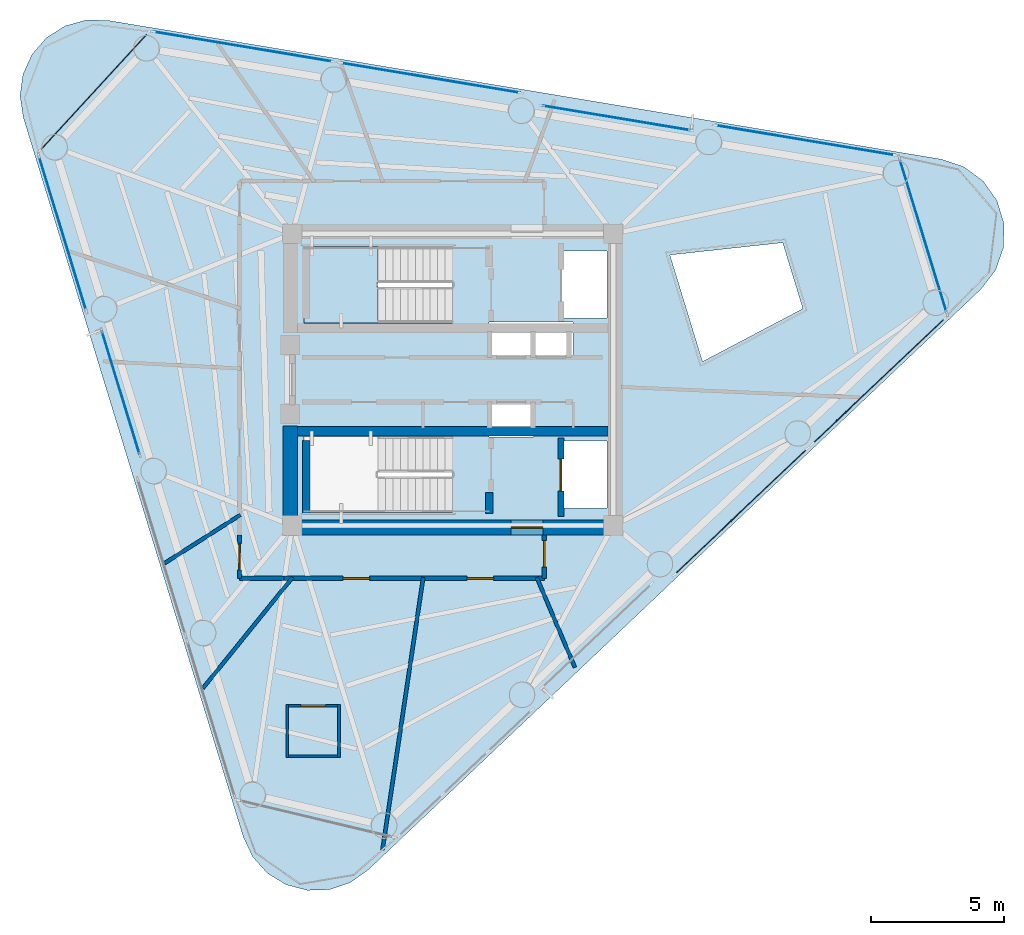
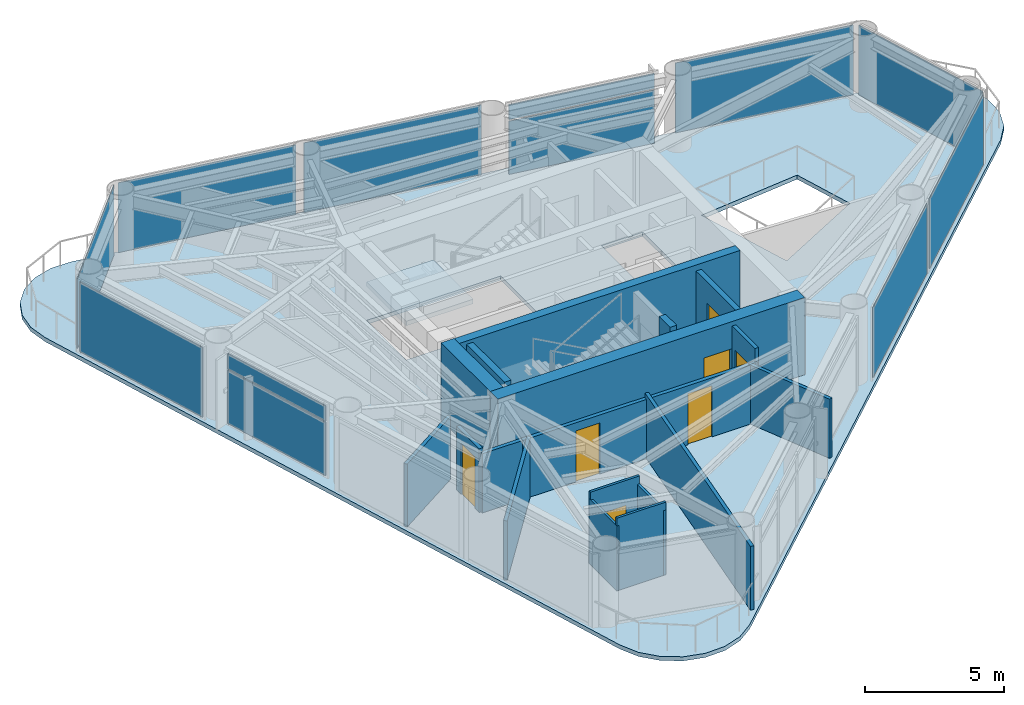
# One storey, part 5 of 9: 18 walls, 12 plates, 7 doors, 2 slabs, 7 openings, 11 elements without a shape of their own.
"""IFC4 building model written with IfcOpenShell, lengths in metres."""

from ifc_helpers import new_model, si_unit, direction, frame, frame_2d, origin, origin_2d, place, context, subcontext, project, spatial, polyline, rectangle, outline, extrude, source, transform, mapped, material, layer, layer_set, type_object, element, fill, aggregate, save


model = new_model("IFC4")

# Units and contexts
model_context = context("Model", 3, precision=1e-05, world=origin(), true_north=direction((0.0, 1.0)))
body_context = subcontext(model_context, "Body", "Model", "MODEL_VIEW")
ifc_project = project(units=[si_unit("LENGTHUNIT", "METRE"), si_unit("AREAUNIT", "SQUARE_METRE"), si_unit("VOLUMEUNIT", "CUBIC_METRE"), si_unit("PLANEANGLEUNIT", "RADIAN"), si_unit("MASSUNIT", "GRAM", prefix="KILO")], contexts=[model_context])

# Site, building, storey
site_placement = place(None, origin())
site = spatial("IfcSite", under=ifc_project, at=site_placement, CompositionType="ELEMENT")
building_placement = place(site_placement, origin())
building = spatial("IfcBuilding", under=site, at=building_placement, Name="Yunling Apex Tower", CompositionType="ELEMENT")
storey_placement = place(building_placement, frame((0.0, 0.0, 232.050048828125)))
storey = spatial("IfcBuildingStorey", under=building, at=storey_placement, Name="L56", CompositionType="ELEMENT", Elevation=232.050048828125)

# Slab
ifc_material_1 = material(Name="Concrete C40", Category="concrete")
ifc_layer_1 = layer(ifc_material_1, 0.155029296875)
ifc_layer_set_1 = layer_set([ifc_layer_1], Name="Concrete C40")
slab_type_1 = type_object("IfcSlabType", Name="SL-FLR-3", PredefinedType="FLOOR", material=ifc_layer_set_1)
slab_1_placement = place(storey_placement, frame((0.0, 0.0, -0.179931640625)))
element("IfcSlab", 1, at=slab_1_placement, inside=storey, type_object=slab_type_1, Name="L56 Composite Tower Floor Slab", PredefinedType="FLOOR", context=body_context, shape_type="SweptSolid", body=[
    extrude(outline(polyline([(-7.894287109375, -17.243408203125), (-7.54052734375, -17.991455078125), (-6.9873046875, -18.60693359375), (-6.281005859375, -19.0380859375), (-5.480712890625, -19.249267578125), (-4.65380859375, -19.22216796875), (-3.868896484375, -18.959716796875), (-3.192138671875, -18.483154296875), (19.91064453125, 3.409912109375), (20.459716796875, 4.126220703125), (20.7578125, 4.977783203125), (20.776123046875, 5.880126953125), (20.51220703125, 6.7431640625), (19.99267578125, 7.48095703125), (19.26904296875, 8.02001953125), (18.41357421875, 8.306884765625), (-12.982177734375, 13.538330078125), (-13.8095703125, 13.5546875), (-14.60693359375, 13.33349609375), (-15.307861328125, 12.8935546875), (-15.853271484375, 12.27099609375), (-16.197509765625, 11.5185546875), (-16.31201171875, 10.698974609375), (-16.187255859375, 9.881103515625), (-7.894287109375, -17.243408203125)]), holes=[polyline([(8.18408203125, 4.697998046875), (12.434326171875, 5.160888671875), (13.194580078125, 2.674560546875), (9.412109375, 0.681640625), (8.18408203125, 4.697998046875)]), polyline([(4.090087890625, -2.320068359375), (5.81005859375, -2.320068359375), (5.81005859375, -4.840087890625), (4.090087890625, -4.840087890625), (4.090087890625, -2.320068359375)]), polyline([(4.090087890625, 4.840087890625), (5.81005859375, 4.840087890625), (5.81005859375, 2.320068359375), (4.090087890625, 2.320068359375), (4.090087890625, 4.840087890625)]), polyline([(1.364990234375, 0.794921875), (1.364990234375, 2.1650390625), (4.534912109375, 2.1650390625), (4.534912109375, 0.794921875), (1.364990234375, 0.794921875)]), polyline([(1.364990234375, -0.794921875), (3.034912109375, -0.794921875), (3.034912109375, -2.1650390625), (1.364990234375, -2.1650390625), (1.364990234375, -0.794921875)]), polyline([(-0.010009765625, -5.010009765625), (-5.60009765625, -5.010009765625), (-5.60009765625, -2.139892578125), (-0.010009765625, -2.139892578125), (-0.010009765625, -5.010009765625)]), polyline([(-0.010009765625, 2.139892578125), (-5.60009765625, 2.139892578125), (-5.60009765625, 5.010009765625), (-0.010009765625, 5.010009765625), (-0.010009765625, 2.139892578125)])]), origin(), (0.0, 0.0, 1.0), 0.179931640625),
])

# Stair, slab
stair_type = type_object("IfcStairType", Name="ST-TWR-3", PredefinedType="HALF_TURN_STAIR", material=ifc_material_1)
stair_placement = place(storey_placement, origin())
stair = element("IfcStair", 2, at=stair_placement, inside=storey, type_object=stair_type, Name="L56 North Core Smokeproof Exit Stair ST-1", PredefinedType="HALF_TURN_STAIR")
ifc_layer_2 = layer(ifc_material_1, 0.195068359375)
ifc_layer_set_2 = layer_set([ifc_layer_2], Name="Concrete C40")
slab_type_2 = type_object("IfcSlabType", Name="SL-LND-1", PredefinedType="LANDING", material=ifc_layer_set_2)
slab_2_placement = place(storey_placement, frame((0.0, 0.0, 1.5048828125)))
slab_2 = element("IfcSlab", 3, at=slab_2_placement, type_object=slab_type_2, Name="ST-1 landing 1", PredefinedType="LANDING", context=body_context, shape_type="SweptSolid", body=[
    extrude(outline(polyline([(-2.81005859375, 5.010009765625), (-5.60009765625, 5.010009765625), (-5.60009765625, 2.139892578125), (-2.81005859375, 2.139892578125), (-2.81005859375, 5.010009765625)])), origin(), (0.0, 0.0, 1.0), 0.195068359375),
])
aggregate(stair, [slab_2])

# Curtain wall, plates
ifc_material_2 = material(Name="Bronze anodised aluminium", Category="aluminium")
ifc_layer_3 = layer(ifc_material_2, 0.219970703125)
ifc_layer_set_3 = layer_set([ifc_layer_3], Name="Bronze anodised aluminium")
curtain_wall_type = type_object("IfcCurtainWallType", Name="CW-SYS-4", PredefinedType="NOTDEFINED", material=ifc_layer_set_3)
curtain_wall_1_placement = place(storey_placement, origin())
curtain_wall_1 = element("IfcCurtainWall", 4, at=curtain_wall_1_placement, inside=storey, type_object=curtain_wall_type, Name="CW-L56-F2-B2", PredefinedType="NOTDEFINED")
ifc_material_3 = material(Name="Bronze tinted low-E glass", Category="glass")
ifc_layer_4 = layer(ifc_material_3, 0.030029296875)
ifc_layer_set_4 = layer_set([ifc_layer_4], Name="Bronze tinted low-E glass")
plate_type = type_object("IfcPlateType", Name="CW-PNL-4", PredefinedType="CURTAIN_PANEL", material=ifc_layer_set_4)
shared_shape_1 = source(origin(), body_context, "Body", "SweptSolid", [
    extrude(rectangle(XDim=5.617431640625, YDim=0.030029296875, at=origin_2d()), origin(), (0.0, 0.0, 1.0), 2.34326171875),
])
plate_1_placement = place(storey_placement, frame((6.168701171875, 9.860595703125, 0.072021484375), z_axis=(0.0, 0.0, 1.0), x_axis=(-0.986398614513, 0.164370840747, 0.0)))
plate_1 = element("IfcPlate", 5, at=plate_1_placement, type_object=plate_type, Name="CW-SYS-4 panel 1.1", PredefinedType="CURTAIN_PANEL", context=body_context, shape_type="MappedRepresentation", body=[
    mapped(shared_shape_1, transform((0.0, 0.0, 0.0), scale=1.0)),
])
shared_shape_2 = source(origin(), body_context, "Body", "SweptSolid", [
    extrude(rectangle(XDim=5.617431640625, YDim=0.030029296875, at=origin_2d()), origin(), (0.0, 0.0, 1.0), 0.668701171875),
])
plate_2_placement = place(storey_placement, frame((6.168701171875, 9.860595703125, 2.47900390625), z_axis=(0.0, 0.0, 1.0), x_axis=(-0.986398614513, 0.164370840747, 0.0)))
plate_2 = element("IfcPlate", 6, at=plate_2_placement, type_object=plate_type, Name="CW-SYS-4 panel 1.2", PredefinedType="CURTAIN_PANEL", context=body_context, shape_type="MappedRepresentation", body=[
    mapped(shared_shape_2, transform((0.0, 0.0, 0.0), scale=1.0)),
])
aggregate(curtain_wall_1, [plate_1, plate_2])

# Curtain wall, plate
curtain_wall_2_placement = place(storey_placement, origin())
curtain_wall_2 = element("IfcCurtainWall", 7, at=curtain_wall_2_placement, inside=storey, type_object=curtain_wall_type, Name="CW-L56-F1-B3", PredefinedType="NOTDEFINED")
shared_shape_3 = source(origin(), body_context, "Body", "SweptSolid", [
    extrude(rectangle(XDim=6.857421875, YDim=0.030029296875, at=origin_2d()), origin(), (0.0, 0.0, 1.0), 3.075927734375),
])
plate_3_placement = place(storey_placement, frame((10.862060546875, -4.97216796875, 0.07177734375), z_axis=(0.0, 0.0, 1.0), x_axis=(0.72585471909, 0.687848040467, 0.0)))
plate_3 = element("IfcPlate", 8, at=plate_3_placement, type_object=plate_type, Name="CW-SYS-4 panel 1.1", PredefinedType="CURTAIN_PANEL", context=body_context, shape_type="MappedRepresentation", body=[
    mapped(shared_shape_3, transform((0.0, 0.0, 0.0), scale=1.0)),
])
aggregate(curtain_wall_2, [plate_3])

curtain_wall_3_placement = place(storey_placement, origin())
curtain_wall_3 = element("IfcCurtainWall", 9, at=curtain_wall_3_placement, inside=storey, type_object=curtain_wall_type, Name="CW-L56-F1-B4", PredefinedType="NOTDEFINED")
plate_4_placement = place(storey_placement, frame((16.060302734375, -0.046142578125, 0.07177734375), z_axis=(0.0, 0.0, 1.0), x_axis=(0.72585471909, 0.687848040467, 0.0)))
plate_4 = element("IfcPlate", 10, at=plate_4_placement, type_object=plate_type, Name="CW-SYS-4 panel 1.1", PredefinedType="CURTAIN_PANEL", context=body_context, shape_type="MappedRepresentation", body=[
    mapped(shared_shape_3, transform((0.0, 0.0, 0.0), scale=1.0)),
])
aggregate(curtain_wall_3, [plate_4])

curtain_wall_4_placement = place(storey_placement, origin())
curtain_wall_4 = element("IfcCurtainWall", 11, at=curtain_wall_4_placement, inside=storey, type_object=curtain_wall_type, Name="CW-L56-F2-B1", PredefinedType="NOTDEFINED")
plate_5_placement = place(storey_placement, frame((13.288818359375, 9.01904296875, 0.07177734375), z_axis=(0.0, 0.0, 1.0), x_axis=(-0.9864016432, 0.164352664392, 0.0)))
plate_5 = element("IfcPlate", 12, at=plate_5_placement, type_object=plate_type, Name="CW-SYS-4 panel 1.1", PredefinedType="CURTAIN_PANEL", context=body_context, shape_type="MappedRepresentation", body=[
    mapped(shared_shape_3, transform((0.0, 0.0, 0.0), scale=1.0)),
])
aggregate(curtain_wall_4, [plate_5])

curtain_wall_5_placement = place(storey_placement, origin())
curtain_wall_5 = element("IfcCurtainWall", 13, at=curtain_wall_5_placement, inside=storey, type_object=curtain_wall_type, Name="CW-L56-F2-B3", PredefinedType="NOTDEFINED")
plate_6_placement = place(storey_placement, frame((-0.83935546875, 11.373046875, 0.07177734375), z_axis=(0.0, 0.0, 1.0), x_axis=(-0.9864016432, 0.164352664392, 0.0)))
plate_6 = element("IfcPlate", 14, at=plate_6_placement, type_object=plate_type, Name="CW-SYS-4 panel 1.1", PredefinedType="CURTAIN_PANEL", context=body_context, shape_type="MappedRepresentation", body=[
    mapped(shared_shape_3, transform((0.0, 0.0, 0.0), scale=1.0)),
])
aggregate(curtain_wall_5, [plate_6])

curtain_wall_6_placement = place(storey_placement, origin())
curtain_wall_6 = element("IfcCurtainWall", 15, at=curtain_wall_6_placement, inside=storey, type_object=curtain_wall_type, Name="CW-L56-F2-B4", PredefinedType="NOTDEFINED")
plate_7_placement = place(storey_placement, frame((-7.9033203125, 12.550048828125, 0.07177734375), z_axis=(0.0, 0.0, 1.0), x_axis=(-0.9864016432, 0.164352664392, 0.0)))
plate_7 = element("IfcPlate", 16, at=plate_7_placement, type_object=plate_type, Name="CW-SYS-4 panel 1.1", PredefinedType="CURTAIN_PANEL", context=body_context, shape_type="MappedRepresentation", body=[
    mapped(shared_shape_3, transform((0.0, 0.0, 0.0), scale=1.0)),
])
aggregate(curtain_wall_6, [plate_7])

curtain_wall_7_placement = place(storey_placement, origin())
curtain_wall_7 = element("IfcCurtainWall", 17, at=curtain_wall_7_placement, inside=storey, type_object=curtain_wall_type, Name="CW-L56-CRN1", PredefinedType="NOTDEFINED")
shared_shape_4 = source(origin(), body_context, "Body", "SweptSolid", [
    extrude(rectangle(XDim=6.108642578125, YDim=0.030029296875, at=origin_2d()), origin(), (0.0, 0.0, 1.0), 3.075927734375),
])
plate_8_placement = place(storey_placement, frame((17.7314453125, 5.421142578125, 0.07177734375), z_axis=(0.0, 0.0, 1.0), x_axis=(-0.292369275379, 0.956305498685, 0.0)))
plate_8 = element("IfcPlate", 18, at=plate_8_placement, type_object=plate_type, Name="CW-SYS-4 panel 1.1", PredefinedType="CURTAIN_PANEL", context=body_context, shape_type="MappedRepresentation", body=[
    mapped(shared_shape_4, transform((0.0, 0.0, 0.0), scale=1.0)),
])
aggregate(curtain_wall_7, [plate_8])

curtain_wall_8_placement = place(storey_placement, origin())
curtain_wall_8 = element("IfcCurtainWall", 19, at=curtain_wall_8_placement, inside=storey, type_object=curtain_wall_type, Name="CW-L56-CRN2", PredefinedType="NOTDEFINED")
shared_shape_5 = source(origin(), body_context, "Body", "SweptSolid", [
    extrude(rectangle(XDim=6.033203125, YDim=0.030029296875, at=origin_2d()), origin(), (0.0, 0.0, 1.0), 3.075927734375),
])
plate_9_placement = place(storey_placement, frame((-13.529052734375, 10.84521484375, 0.07177734375), z_axis=(0.0, 0.0, 1.0), x_axis=(-0.676835909266, -0.736133922549, 0.0)))
plate_9 = element("IfcPlate", 20, at=plate_9_placement, type_object=plate_type, Name="CW-SYS-4 panel 1.1", PredefinedType="CURTAIN_PANEL", context=body_context, shape_type="MappedRepresentation", body=[
    mapped(shared_shape_5, transform((0.0, 0.0, 0.0), scale=1.0)),
])
aggregate(curtain_wall_8, [plate_9])

curtain_wall_9_placement = place(storey_placement, origin())
curtain_wall_9 = element("IfcCurtainWall", 21, at=curtain_wall_9_placement, inside=storey, type_object=curtain_wall_type, Name="CW-L56-F3-B1", PredefinedType="NOTDEFINED")
shared_shape_6 = source(origin(), body_context, "Body", "SweptSolid", [
    extrude(rectangle(XDim=6.077880859375, YDim=0.030029296875, at=origin_2d()), origin(), (0.0, 0.0, 1.0), 3.075927734375),
])
plate_10_placement = place(storey_placement, frame((-14.705810546875, 5.51416015625, 0.07177734375), z_axis=(0.0, 0.0, 1.0), x_axis=(0.29237206414, -0.956304646078, 0.0)))
plate_10 = element("IfcPlate", 22, at=plate_10_placement, type_object=plate_type, Name="CW-SYS-4 panel 1.1", PredefinedType="CURTAIN_PANEL", context=body_context, shape_type="MappedRepresentation", body=[
    mapped(shared_shape_6, transform((0.0, 0.0, 0.0), scale=1.0)),
])
aggregate(curtain_wall_9, [plate_10])

# Curtain wall, plates
curtain_wall_10_placement = place(storey_placement, origin())
curtain_wall_10 = element("IfcCurtainWall", 23, at=curtain_wall_10_placement, inside=storey, type_object=curtain_wall_type, Name="CW-L56-F3-B2", PredefinedType="NOTDEFINED")
shared_shape_7 = source(origin(), body_context, "Body", "SweptSolid", [
    extrude(rectangle(XDim=4.837890625, YDim=0.030029296875, at=origin_2d()), origin(), (0.0, 0.0, 1.0), 2.34326171875),
])
plate_11_placement = place(storey_placement, frame((-12.5146484375, -0.489501953125, 0.072021484375), z_axis=(0.0, 0.0, 1.0), x_axis=(0.29237304737, -0.956304345474, 0.0)))
plate_11 = element("IfcPlate", 24, at=plate_11_placement, type_object=plate_type, Name="CW-SYS-4 panel 1.1", PredefinedType="CURTAIN_PANEL", context=body_context, shape_type="MappedRepresentation", body=[
    mapped(shared_shape_7, transform((0.0, 0.0, 0.0), scale=1.0)),
])
shared_shape_8 = source(origin(), body_context, "Body", "SweptSolid", [
    extrude(rectangle(XDim=4.837890625, YDim=0.030029296875, at=origin_2d()), origin(), (0.0, 0.0, 1.0), 0.668701171875),
])
plate_12_placement = place(storey_placement, frame((-12.5146484375, -0.489501953125, 2.47900390625), z_axis=(0.0, 0.0, 1.0), x_axis=(0.29237304737, -0.956304345474, 0.0)))
plate_12 = element("IfcPlate", 25, at=plate_12_placement, type_object=plate_type, Name="CW-SYS-4 panel 1.2", PredefinedType="CURTAIN_PANEL", context=body_context, shape_type="MappedRepresentation", body=[
    mapped(shared_shape_8, transform((0.0, 0.0, 0.0), scale=1.0)),
])
aggregate(curtain_wall_10, [plate_11, plate_12])

# Wall, opening, door
ifc_layer_5 = layer(ifc_material_1, 0.550048828125)
ifc_layer_set_5 = layer_set([ifc_layer_5], Name="Concrete C40")
wall_type_1 = type_object("IfcWallType", Name="WL-COR-3", PredefinedType="SHEAR", material=ifc_layer_set_5)
wall_1_placement = place(storey_placement, frame((-6.39990234375, -5.574951171875, 0.0), z_axis=(0.0, 0.0, 1.0), x_axis=(1.0, 0.0, 0.0)))
wall_1 = element("IfcWall", 26, at=wall_1_placement, inside=storey, type_object=wall_type_1, Name="L56 South Core Shear Wall", PredefinedType="SHEAR", context=body_context, shape_type="SweptSolid", body=[
    extrude(rectangle(XDim=12.7998046875, YDim=0.550048828125, at=frame_2d((6.39990234375, 0.0))), origin(), (0.0, 0.0, 1.0), 3.39990234375),
])
opening_1_placement = place(wall_1_placement, frame((8.60009765625, 0.0, 0.0)))
opening_1 = element("IfcOpeningElement", 27, at=opening_1_placement, cuts=wall_1, Name="Opening DR-FFL-1", PredefinedType="OPENING", context=body_context, shape_type="SweptSolid", body=[
    extrude(rectangle(XDim=1.199951171875, YDim=2.199951171875, at=frame_2d((0.60009765625, 1.10009765625))), frame((0.0, 0.28515625, 0.0), z_axis=(0.0, -1.0, 0.0), x_axis=(1.0, 0.0, 0.0)), (0.0, 0.0, 1.0), 0.570068359375),
])
ifc_material_4 = material(Name="Steel Q355B", Category="steel")
door_type_1 = type_object("IfcDoorType", Name="DR-FFL-1", OperationType="NOTDEFINED", PredefinedType="DOOR", material=ifc_material_4)
door_1_placement = place(opening_1_placement, origin())
door_1 = element("IfcDoor", 28, at=door_1_placement, inside=storey, type_object=door_type_1, Name="L56 South Firefighting Lobby Door", OperationType="SINGLE_SWING_RIGHT", OverallHeight=2.199951171875, OverallWidth=1.199951171875, PredefinedType="DOOR", context=body_context, shape_type="SweptSolid", body=[
    extrude(rectangle(XDim=1.199951171875, YDim=2.199951171875, at=frame_2d((0.60009765625, 1.10009765625))), frame((0.0, 0.02490234375, 0.0), z_axis=(0.0, -1.0, 0.0), x_axis=(1.0, 0.0, 0.0)), (0.0, 0.0, 1.0), 0.050048828125),
])
fill(opening_1, door_1)

# Walls
wall_2_placement = place(storey_placement, frame((-6.125, -5.300048828125, 0.0), z_axis=(0.0, 0.0, 1.0), x_axis=(0.0, 1.0, 0.0)))
element("IfcWall", 29, at=wall_2_placement, inside=storey, type_object=wall_type_1, Name="L56 West-South Core Shear Wall", PredefinedType="SHEAR", context=body_context, shape_type="SweptSolid", body=[
    extrude(rectangle(XDim=3.550048828125, YDim=0.550048828125, at=frame_2d((1.77490234375, 0.0))), origin(), (0.0, 0.0, 1.0), 3.39990234375),
])
ifc_layer_6 = layer(ifc_material_1, 0.360107421875)
ifc_layer_set_6 = layer_set([ifc_layer_6], Name="Concrete C40")
wall_type_2 = type_object("IfcWallType", Name="WL-COR-4", PredefinedType="SHEAR", material=ifc_layer_set_6)
wall_3_placement = place(storey_placement, frame((-5.85009765625, -1.93994140625, 0.0), z_axis=(0.0, 0.0, 1.0), x_axis=(1.0, 0.0, 0.0)))
element("IfcWall", 30, at=wall_3_placement, inside=storey, type_object=wall_type_2, Name="L56 South Internal Core Shear Wall", PredefinedType="SHEAR", context=body_context, shape_type="SweptSolid", body=[
    extrude(rectangle(XDim=11.7001953125, YDim=0.360107421875, at=frame_2d((5.85009765625, 0.0))), origin(), (0.0, 0.0, 1.0), 3.39990234375),
])
ifc_layer_7 = layer(ifc_material_1, 0.280029296875)
ifc_layer_set_7 = layer_set([ifc_layer_7], Name="Concrete C40")
wall_type_3 = type_object("IfcWallType", Name="WL-COR-8", PredefinedType="SHEAR", material=ifc_layer_set_7)
wall_4_placement = place(storey_placement, frame((-5.52001953125, -5.050048828125, 0.0), z_axis=(0.0, 0.0, 1.0), x_axis=(0.0, 1.0, 0.0)))
element("IfcWall", 31, at=wall_4_placement, inside=storey, type_object=wall_type_3, Name="L56 ST-2 West Landing Bearing Wall", PredefinedType="SHEAR", context=body_context, shape_type="SweptSolid", body=[
    extrude(rectangle(XDim=2.75, YDim=0.280029296875, at=frame_2d((1.375, 0.0))), origin(), (0.0, 0.0, 1.0), 3.39990234375),
])
wall_5_placement = place(storey_placement, frame((1.3798828125, -5.050048828125, 0.0), z_axis=(0.0, 0.0, 1.0), x_axis=(0.0, 1.0, 0.0)))
element("IfcWall", 32, at=wall_5_placement, inside=storey, type_object=wall_type_3, Name="L56 ST-2 East Landing Bearing Pier", PredefinedType="SHEAR", context=body_context, shape_type="SweptSolid", body=[
    extrude(rectangle(XDim=0.800048828125, YDim=0.280029296875, at=frame_2d((0.39990234375, 0.0))), origin(), (0.0, 0.0, 1.0), 3.39990234375),
])

# Wall, opening, door
ifc_material_5 = material(Name="Gypsum board acoustic partition")
ifc_layer_8 = layer(ifc_material_5, 0.159912109375)
ifc_layer_set_8 = layer_set([ifc_layer_8], Name="Gypsum board acoustic partition")
wall_type_4 = type_object("IfcWallType", Name="WL-PRT-1", PredefinedType="PARTITIONING", material=ifc_layer_set_8)
wall_6_placement = place(storey_placement, frame((3.449951171875, -5.85009765625, 0.0), z_axis=(0.0, 0.0, 1.0), x_axis=(0.0, -1.0, 0.0)))
wall_6 = element("IfcWall", 33, at=wall_6_placement, inside=storey, type_object=wall_type_4, Name="WL-CORR-L56-05", PredefinedType="PARTITIONING", context=body_context, shape_type="SweptSolid", body=[
    extrude(rectangle(XDim=1.639892578125, YDim=0.159912109375, at=frame_2d((0.81982421875, 0.0))), origin(), (0.0, 0.0, 1.0), 3.199951171875),
])
opening_2_placement = place(wall_6_placement, frame((0.219970703125, 0.0, 0.0)))
opening_2 = element("IfcOpeningElement", 34, at=opening_2_placement, cuts=wall_6, Name="Opening DR-OFF-1", PredefinedType="OPENING", context=body_context, shape_type="SweptSolid", body=[
    extrude(rectangle(XDim=1.0, YDim=2.25, at=frame_2d((0.5, 1.125))), frame((0.0, 0.08984375, 0.0), z_axis=(0.0, -1.0, 0.0), x_axis=(1.0, 0.0, 0.0)), (0.0, 0.0, 1.0), 0.179931640625),
])
door_type_2 = type_object("IfcDoorType", Name="DR-OFF-1", OperationType="NOTDEFINED", PredefinedType="DOOR", material=ifc_material_2)
door_2_placement = place(opening_2_placement, origin())
door_2 = element("IfcDoor", 35, at=door_2_placement, inside=storey, type_object=door_type_2, Name="L56 Residents Sky Reading Lounge Door", OperationType="SINGLE_SWING_RIGHT", OverallHeight=2.25, OverallWidth=1.0, PredefinedType="DOOR", context=body_context, shape_type="SweptSolid", body=[
    extrude(rectangle(XDim=1.0, YDim=2.25, at=frame_2d((0.5, 1.125))), frame((0.0, 0.02490234375, 0.0), z_axis=(0.0, -1.0, 0.0), x_axis=(1.0, 0.0, 0.0)), (0.0, 0.0, 1.0), 0.050048828125),
])
fill(opening_2, door_2)

# Wall, openings, doors
wall_7_placement = place(storey_placement, frame((3.449951171875, -7.489990234375, 0.0), z_axis=(0.0, 0.0, 1.0), x_axis=(-1.0, 0.0, 0.0)))
wall_7 = element("IfcWall", 36, at=wall_7_placement, inside=storey, type_object=wall_type_4, Name="WL-CORR-L56-06", PredefinedType="PARTITIONING", context=body_context, shape_type="SweptSolid", body=[
    extrude(rectangle(XDim=9.81005859375, YDim=0.159912109375, at=frame_2d((4.905029296875, 0.0))), origin(), (0.0, 0.0, 1.0), 2.60498046875),
])
opening_3_placement = place(wall_7_placement, frame((1.910888671875, 0.0, 0.0)))
opening_3 = element("IfcOpeningElement", 37, at=opening_3_placement, cuts=wall_7, Name="Opening DR-OFF-1", PredefinedType="OPENING", context=body_context, shape_type="SweptSolid", body=[
    extrude(rectangle(XDim=1.0, YDim=2.25, at=frame_2d((0.5, 1.125))), frame((0.0, 0.08984375, 0.0), z_axis=(0.0, -1.0, 0.0), x_axis=(1.0, 0.0, 0.0)), (0.0, 0.0, 1.0), 0.179931640625),
])
opening_4_placement = place(wall_7_placement, frame((6.58349609375, 0.0, 0.0)))
opening_4 = element("IfcOpeningElement", 38, at=opening_4_placement, cuts=wall_7, Name="Opening DR-OFF-1", PredefinedType="OPENING", context=body_context, shape_type="SweptSolid", body=[
    extrude(rectangle(XDim=1.0, YDim=2.25, at=frame_2d((0.5, 1.125))), frame((0.0, 0.08984375, 0.0), z_axis=(0.0, -1.0, 0.0), x_axis=(1.0, 0.0, 0.0)), (0.0, 0.0, 1.0), 0.179931640625),
])
door_3_placement = place(opening_3_placement, origin())
door_3 = element("IfcDoor", 39, at=door_3_placement, inside=storey, type_object=door_type_2, Name="L56 Residents Fitness Club Door", OperationType="SINGLE_SWING_LEFT", OverallHeight=2.25, OverallWidth=1.0, PredefinedType="DOOR", context=body_context, shape_type="SweptSolid", body=[
    extrude(rectangle(XDim=1.0, YDim=2.25, at=frame_2d((0.5, 1.125))), frame((0.0, 0.02490234375, 0.0), z_axis=(0.0, -1.0, 0.0), x_axis=(1.0, 0.0, 0.0)), (0.0, 0.0, 1.0), 0.050048828125),
])
fill(opening_3, door_3)
door_4_placement = place(opening_4_placement, origin())
door_4 = element("IfcDoor", 40, at=door_4_placement, inside=storey, type_object=door_type_2, Name="L56 Residents Sky Reading Lounge Door", OperationType="SINGLE_SWING_RIGHT", OverallHeight=2.25, OverallWidth=1.0, PredefinedType="DOOR", context=body_context, shape_type="SweptSolid", body=[
    extrude(rectangle(XDim=1.0, YDim=2.25, at=frame_2d((0.5, 1.125))), frame((0.0, 0.02490234375, 0.0), z_axis=(0.0, -1.0, 0.0), x_axis=(1.0, 0.0, 0.0)), (0.0, 0.0, 1.0), 0.050048828125),
])
fill(opening_4, door_4)

# Wall
wall_8_placement = place(storey_placement, frame((-6.360107421875, -7.489990234375, 0.0), z_axis=(0.0, 0.0, 1.0), x_axis=(-1.0, 0.0, 0.0)))
element("IfcWall", 41, at=wall_8_placement, inside=storey, type_object=wall_type_4, Name="WL-CORR-L56-07", PredefinedType="PARTITIONING", context=body_context, shape_type="SweptSolid", body=[
    extrude(rectangle(XDim=1.679931640625, YDim=0.159912109375, at=frame_2d((0.83984375, 0.0))), origin(), (0.0, 0.0, 1.0), 2.60498046875),
])

# Wall, opening, door
wall_9_placement = place(storey_placement, frame((-8.0400390625, -7.489990234375, 0.0), z_axis=(0.0, 0.0, 1.0), x_axis=(0.0, 1.0, 0.0)))
wall_9 = element("IfcWall", 42, at=wall_9_placement, inside=storey, type_object=wall_type_4, Name="WL-CORR-L56-08", PredefinedType="PARTITIONING", context=body_context, shape_type="SweptSolid", body=[
    extrude(rectangle(XDim=1.639892578125, YDim=0.159912109375, at=frame_2d((0.81982421875, 0.0))), origin(), (0.0, 0.0, 1.0), 2.804931640625),
])
opening_5_placement = place(wall_9_placement, frame((0.320068359375, 0.0, 0.0)))
opening_5 = element("IfcOpeningElement", 43, at=opening_5_placement, cuts=wall_9, Name="Opening DR-OFF-1", PredefinedType="OPENING", context=body_context, shape_type="SweptSolid", body=[
    extrude(rectangle(XDim=1.0, YDim=2.25, at=frame_2d((0.5, 1.125))), frame((0.0, 0.08984375, 0.0), z_axis=(0.0, -1.0, 0.0), x_axis=(1.0, 0.0, 0.0)), (0.0, 0.0, 1.0), 0.179931640625),
])
door_5_placement = place(opening_5_placement, origin())
door_5 = element("IfcDoor", 44, at=door_5_placement, inside=storey, type_object=door_type_2, Name="L56 Residents Fitness Club Door", OperationType="SINGLE_SWING_LEFT", OverallHeight=2.25, OverallWidth=1.0, PredefinedType="DOOR", context=body_context, shape_type="SweptSolid", body=[
    extrude(rectangle(XDim=1.0, YDim=2.25, at=frame_2d((0.5, 1.125))), frame((0.0, 0.02490234375, 0.0), z_axis=(0.0, -1.0, 0.0), x_axis=(1.0, 0.0, 0.0)), (0.0, 0.0, 1.0), 0.050048828125),
])
fill(opening_5, door_5)

# Walls
ifc_layer_9 = layer(ifc_material_5, 0.139892578125)
ifc_layer_set_9 = layer_set([ifc_layer_9], Name="Gypsum board acoustic partition")
wall_type_5 = type_object("IfcWallType", Name="WL-PRT-2", PredefinedType="PARTITIONING", material=ifc_layer_set_9)
wall_10_placement = place(storey_placement, frame((-8.0, -5.0966796875, 0.0), z_axis=(0.0, 0.0, 1.0), x_axis=(-0.843391828446, -0.537299007733, 0.0)))
element("IfcWall", 45, at=wall_10_placement, inside=storey, type_object=wall_type_5, Name="WL-RAD-L56-07", PredefinedType="PARTITIONING", context=body_context, shape_type="SweptSolid", body=[
    extrude(rectangle(XDim=3.393798828125, YDim=0.139892578125, at=frame_2d((1.69677734375, 0.0))), origin(), (0.0, 0.0, 1.0), 2.764892578125),
])
wall_11_placement = place(storey_placement, frame((-6.032958984375, -7.449951171875, 0.0), z_axis=(0.0, 0.0, 1.0), x_axis=(-0.629318234002, -0.777147708195, 0.0)))
element("IfcWall", 46, at=wall_11_placement, inside=storey, type_object=wall_type_5, Name="WL-RAD-L56-08", PredefinedType="PARTITIONING", context=body_context, shape_type="SweptSolid", body=[
    extrude(rectangle(XDim=5.3837890625, YDim=0.139892578125, at=frame_2d((2.69189453125, 0.0))), origin(), (0.0, 0.0, 1.0), 2.60498046875),
])
wall_12_placement = place(storey_placement, frame((-1.11328125, -7.449951171875, 0.0), z_axis=(0.0, 0.0, 1.0), x_axis=(-0.147817313856, -0.989014682259, 0.0)))
element("IfcWall", 47, at=wall_12_placement, inside=storey, type_object=wall_type_5, Name="WL-RAD-L56-09", PredefinedType="PARTITIONING", context=body_context, shape_type="SweptSolid", body=[
    extrude(rectangle(XDim=10.3837890625, YDim=0.139892578125, at=frame_2d((5.19189453125, 0.0))), origin(), (0.0, 0.0, 1.0), 2.804931640625),
])
wall_13_placement = place(storey_placement, frame((3.162353515625, -7.449951171875, 0.0), z_axis=(0.0, 0.0, 1.0), x_axis=(0.39072313519, -0.920508246366, 0.0)))
element("IfcWall", 48, at=wall_13_placement, inside=storey, type_object=wall_type_5, Name="WL-RAD-L56-10", PredefinedType="PARTITIONING", context=body_context, shape_type="SweptSolid", body=[
    extrude(rectangle(XDim=3.6904296875, YDim=0.139892578125, at=frame_2d((1.84521484375, 0.0))), origin(), (0.0, 0.0, 1.0), 2.60498046875),
])

# Wall, opening, door
ifc_layer_10 = layer(ifc_material_5, 0.10009765625)
ifc_layer_set_10 = layer_set([ifc_layer_10], Name="Gypsum board acoustic partition")
wall_type_6 = type_object("IfcWallType", Name="WL-PRT-4", PredefinedType="PARTITIONING", material=ifc_layer_set_10)
wall_14_placement = place(storey_placement, frame((-6.285888671875, -12.298095703125, 0.0), z_axis=(0.0, 0.0, 1.0), x_axis=(1.0, 0.0, 0.0)))
wall_14 = element("IfcWall", 49, at=wall_14_placement, inside=storey, type_object=wall_type_6, Name="WL-L56-RWC3N", PredefinedType="PARTITIONING", context=body_context, shape_type="SweptSolid", body=[
    extrude(rectangle(XDim=2.0498046875, YDim=0.10009765625, at=frame_2d((1.02490234375, 0.0))), origin(), (0.0, 0.0, 1.0), 3.199951171875),
])
opening_6_placement = place(wall_14_placement, frame((0.56494140625, 0.0, 0.0)))
opening_6 = element("IfcOpeningElement", 50, at=opening_6_placement, cuts=wall_14, Name="Opening DR-WC-1", PredefinedType="OPENING", context=body_context, shape_type="SweptSolid", body=[
    extrude(rectangle(XDim=0.919921875, YDim=2.10009765625, at=frame_2d((0.4599609375, 1.050048828125))), frame((0.0, 0.06005859375, 0.0), z_axis=(0.0, -1.0, 0.0), x_axis=(1.0, 0.0, 0.0)), (0.0, 0.0, 1.0), 0.1201171875),
])
ifc_material_6 = material(Name="Timber moisture-resistant leaf", Category="wood")
door_type_3 = type_object("IfcDoorType", Name="DR-WC-1", OperationType="NOTDEFINED", PredefinedType="DOOR", material=ifc_material_6)
door_6_placement = place(opening_6_placement, origin())
door_6 = element("IfcDoor", 51, at=door_6_placement, inside=storey, type_object=door_type_3, Name="L56 Accessible WC Door", OperationType="SINGLE_SWING_LEFT", OverallHeight=2.10009765625, OverallWidth=0.919921875, PredefinedType="DOOR", context=body_context, shape_type="SweptSolid", body=[
    extrude(rectangle(XDim=0.919921875, YDim=2.10009765625, at=frame_2d((0.4599609375, 1.050048828125))), frame((0.0, 0.02490234375, 0.0), z_axis=(0.0, -1.0, 0.0), x_axis=(1.0, 0.0, 0.0)), (0.0, 0.0, 1.0), 0.050048828125),
])
fill(opening_6, door_6)

# Walls
wall_15_placement = place(storey_placement, frame((-4.236083984375, -14.197998046875, 0.0), z_axis=(0.0, 0.0, 1.0), x_axis=(-1.0, 0.0, 0.0)))
element("IfcWall", 52, at=wall_15_placement, inside=storey, type_object=wall_type_6, Name="WL-L56-RWC3S", PredefinedType="PARTITIONING", context=body_context, shape_type="SweptSolid", body=[
    extrude(rectangle(XDim=2.0498046875, YDim=0.10009765625, at=frame_2d((1.02490234375, 0.0))), origin(), (0.0, 0.0, 1.0), 3.199951171875),
])
for number, where, z_axis, x_axis, name in (
    (53, (-4.285888671875, -12.248046875, 0.0), (0.0, 0.0, 1.0), (0.0, -1.0, 0.0), "WL-L56-RWC3E"),
    (54, (-6.236083984375, -14.248046875, 0.0), (0.0, 0.0, 1.0), (0.0, 1.0, 0.0), "WL-L56-RWC3W"),
):
    element("IfcWall", number, at=place(storey_placement, frame(where, z_axis=z_axis, x_axis=x_axis)), inside=storey, type_object=wall_type_6, Name=name, PredefinedType="PARTITIONING", context=body_context, shape_type="SweptSolid", body=[
        extrude(rectangle(XDim=2.0, YDim=0.10009765625, at=frame_2d((1.0, 0.0))), origin(), (0.0, 0.0, 1.0), 2.85498046875),
    ])

# Wall, opening, door
ifc_material_7 = material(Name="Autoclaved aerated concrete masonry", Category="masonry")
ifc_layer_11 = layer(ifc_material_7, 0.219970703125)
ifc_layer_set_11 = layer_set([ifc_layer_11], Name="Autoclaved aerated concrete masonry")
wall_type_7 = type_object("IfcWallType", Name="WL-SHF-1", PredefinedType="PLUMBINGWALL", material=ifc_layer_set_11)
wall_16_placement = place(storey_placement, frame((4.080078125, -5.14990234375, 0.0), z_axis=(0.0, 0.0, 1.0), x_axis=(0.0, 1.0, 0.0)))
wall_16 = element("IfcWall", 55, at=wall_16_placement, inside=storey, type_object=wall_type_7, Name="WL-FFL2-W-L56", PredefinedType="PLUMBINGWALL", context=body_context, shape_type="SweptSolid", body=[
    extrude(rectangle(XDim=2.949951171875, YDim=0.219970703125, at=frame_2d((1.47509765625, 0.0))), origin(), (0.0, 0.0, 1.0), 3.199951171875),
])
opening_7_placement = place(wall_16_placement, frame((0.949951171875, 0.0, 0.0)))
opening_7 = element("IfcOpeningElement", 56, at=opening_7_placement, cuts=wall_16, Name="Opening LD-FFL-1", PredefinedType="OPENING", context=body_context, shape_type="SweptSolid", body=[
    extrude(rectangle(XDim=1.199951171875, YDim=2.25, at=frame_2d((0.60009765625, 1.125))), frame((0.0, 0.1201171875, 0.0), z_axis=(0.0, -1.0, 0.0), x_axis=(1.0, 0.0, 0.0)), (0.0, 0.0, 1.0), 0.239990234375),
])
door_type_4 = type_object("IfcDoorType", Name="LD-FFL-1", OperationType="DOUBLE_DOOR_SLIDING", PredefinedType="DOOR", material=ifc_material_4)
door_7_placement = place(opening_7_placement, origin())
door_7 = element("IfcDoor", 57, at=door_7_placement, inside=storey, type_object=door_type_4, Name="L56 Lift FFL-2 Landing Door", OperationType="DOUBLE_DOOR_SLIDING", OverallHeight=2.25, OverallWidth=1.199951171875, PredefinedType="DOOR", context=body_context, shape_type="SweptSolid", body=[
    extrude(rectangle(XDim=1.199951171875, YDim=2.25, at=frame_2d((0.60009765625, 1.125))), frame((0.0, 0.02490234375, 0.0), z_axis=(0.0, -1.0, 0.0), x_axis=(1.0, 0.0, 0.0)), (0.0, 0.0, 1.0), 0.050048828125),
])
fill(opening_7, door_7)

save(model, "model.ifc")
